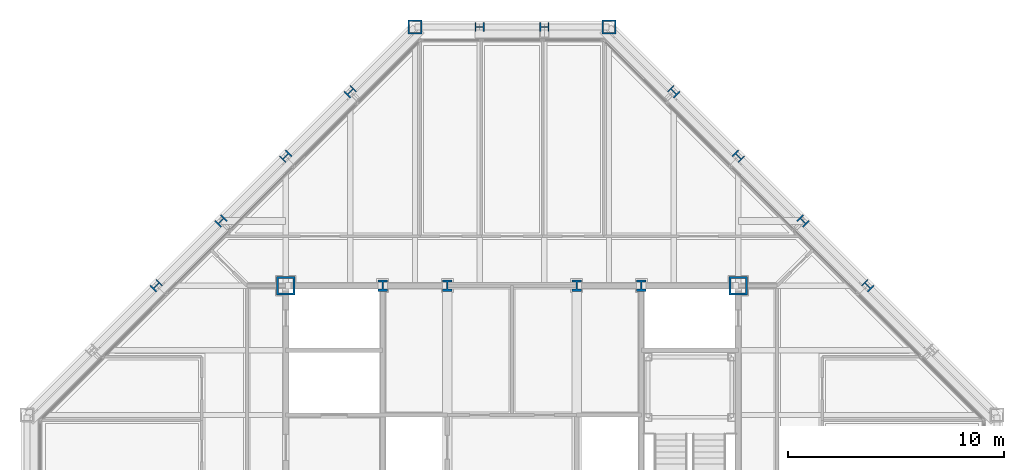
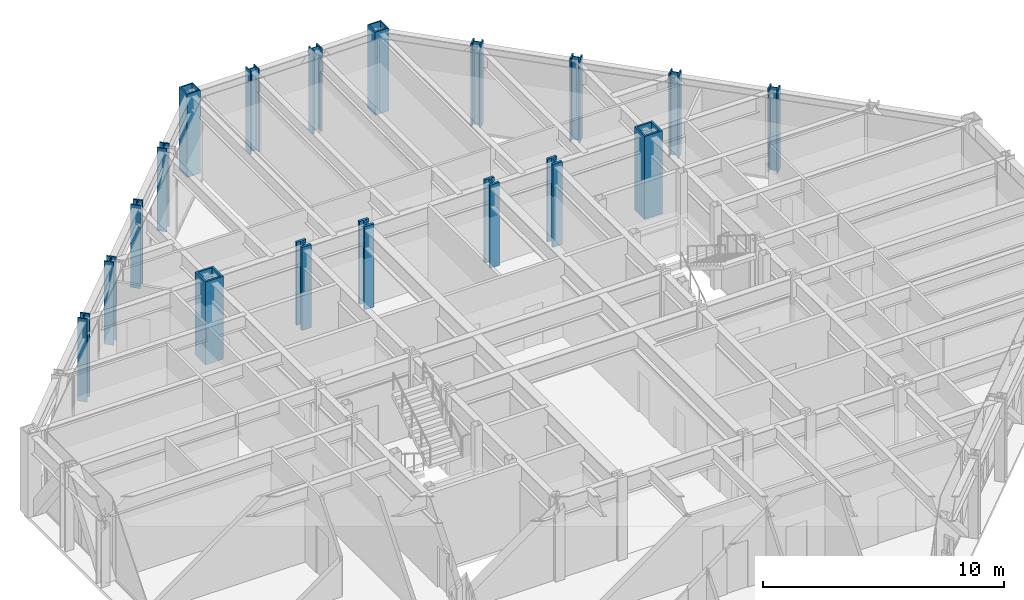
# One storey, part 4 of 15: 18 columns.
"""IFC4 building model written with IfcOpenShell, lengths in metres."""

import ifcopenshell
import ifcopenshell.guid

model = None  # the IFC model being written
_history = None  # IfcOwnerHistory: only IFC2X3 demands one
_inside = {}  # id of a spatial element -> (the spatial element, [elements in it])
_under = {}  # id of a project, library or spatial element -> (it, [spatial elements below it])
_declared = {}  # id of a project -> (the project, [libraries it declares])
_typed = {}  # id of a type object -> (the type object, [elements of that type])
_made_of = {}  # id of a material, layer set ... -> (it, [elements and type objects made of it])


def new_model(schema):
    """Start an empty IFC model of exactly this schema.

    Asked for "IFC4X3", IfcOpenShell would pick the latest addendum, in which some entities
    have other attributes; the version numbers below select the first issue.
    IFC2X3 requires an IfcOwnerHistory on every rooted entity: one is made here for all.
    """
    global model, _history
    if schema == "IFC4X3":
        model = ifcopenshell.file(schema_version=(4, 3, 0, 0))
    else:
        model = ifcopenshell.file(schema=schema)
    _inside.clear()
    _under.clear()
    _declared.clear()
    _typed.clear()
    _made_of.clear()
    _history = None
    if model.schema == "IFC2X3":
        org = make("IfcOrganization", Name="unknown")
        user = make(
            "IfcPersonAndOrganization",
            ThePerson=make("IfcPerson", FamilyName="unknown"),
            TheOrganization=org,
        )
        app = make(
            "IfcApplication",
            ApplicationDeveloper=org,
            Version="unknown",
            ApplicationFullName="unknown",
            ApplicationIdentifier="unknown",
        )
        _history = make(
            "IfcOwnerHistory",
            OwningUser=user,
            OwningApplication=app,
            ChangeAction="ADDED",
            CreationDate=0,
        )
    return model


def make(cls, **values):
    """One entity of the class cls with the attributes given. An attribute that is None is left unset."""
    return model.create_entity(
        cls, **{name: value for name, value in values.items() if value is not None}
    )


def rooted(cls, **values):
    """An entity with a GlobalId (a new one), such as an element, a storey or a relation."""
    return make(cls, GlobalId=ifcopenshell.guid.new(), OwnerHistory=_history, **values)


def si_unit(unit_type, name, prefix=None):
    """IfcSIUnit, for example si_unit("LENGTHUNIT", "METRE", prefix="MILLI")."""
    return make("IfcSIUnit", UnitType=unit_type, Prefix=prefix, Name=name)


def assignment(units):
    """IfcUnitAssignment: the units of a project."""
    return None if units is None else make("IfcUnitAssignment", Units=units)


def point(xyz):
    """IfcCartesianPoint."""
    return None if xyz is None else make("IfcCartesianPoint", Coordinates=xyz)


def direction(xyz):
    """IfcDirection."""
    return None if xyz is None else make("IfcDirection", DirectionRatios=xyz)


def frame(location, z_axis=None, x_axis=None):
    """IfcAxis2Placement3D, a coordinate frame: its origin and axes. An axis left out is left unset."""
    return make(
        "IfcAxis2Placement3D",
        Location=point(location),
        Axis=direction(z_axis),
        RefDirection=direction(x_axis),
    )


def frame_2d(location, x_axis=None):
    """IfcAxis2Placement2D, a coordinate frame in the plane: its origin and x axis."""
    return make(
        "IfcAxis2Placement2D", Location=point(location), RefDirection=direction(x_axis)
    )


def origin():
    """The frame at (0, 0, 0) with its axes left unset."""
    return frame((0.0, 0.0, 0.0))


def origin_2d():
    """The frame at (0, 0) in the plane with its x axis left unset."""
    return frame_2d((0.0, 0.0))


def place(relative_to, where):
    """IfcLocalPlacement: puts the frame where relative to a parent placement (None: the world)."""
    return make(
        "IfcLocalPlacement", PlacementRelTo=relative_to, RelativePlacement=where
    )


def context(
    kind, dimensions, precision=None, world=None, true_north=None, identifier=None
):
    """IfcGeometricRepresentationContext, for example the 3D "Model" context."""
    return make(
        "IfcGeometricRepresentationContext",
        ContextIdentifier=identifier,
        ContextType=kind,
        CoordinateSpaceDimension=dimensions,
        Precision=precision,
        WorldCoordinateSystem=world,
        TrueNorth=true_north,
    )


def subcontext(parent, identifier, kind, view, scale=None):
    """IfcGeometricRepresentationSubContext, for example "Body" below "Model"."""
    return make(
        "IfcGeometricRepresentationSubContext",
        ContextIdentifier=identifier,
        ContextType=kind,
        ParentContext=parent,
        TargetScale=scale,
        TargetView=view,
    )


def project(units=None, contexts=None):
    """IfcProject with its units and contexts."""
    return rooted(
        "IfcProject",
        Name="project",
        RepresentationContexts=contexts,
        UnitsInContext=assignment(units),
    )


def spatial(cls, under=None, at=None, **own):
    """A site, building, storey or space (cls), placed at a placement, below another one or the project."""
    s = rooted(cls, ObjectPlacement=at, **own)
    if under is not None:
        _under.setdefault(under.id(), (under, []))[1].append(s)
    return s


def profile(cls, at=None, kind="AREA", **sizes):
    """A parametric profile (cls). Its sizes go by their IFC names, for example OverallWidth=200.0."""
    return make(cls, ProfileType=kind, Position=at, **sizes)


def hollow_rectangle(**sizes):
    """IfcRectangleHollowProfileDef."""
    return profile("IfcRectangleHollowProfileDef", **sizes)


def i_section(**sizes):
    """IfcIShapeProfileDef."""
    return profile("IfcIShapeProfileDef", **sizes)


def extrude(swept, where, along, depth):
    """IfcExtrudedAreaSolid: the profile swept, set in the frame where, extruded along a direction by depth."""
    return make(
        "IfcExtrudedAreaSolid",
        SweptArea=swept,
        Position=where,
        ExtrudedDirection=direction(along),
        Depth=depth,
    )


def shape(context_of_items, identifier, shape_type, items):
    """IfcShapeRepresentation: the items that make up one representation, for example the "Body"."""
    return make(
        "IfcShapeRepresentation",
        ContextOfItems=context_of_items,
        RepresentationIdentifier=identifier,
        RepresentationType=shape_type,
        Items=items,
    )


def material(Name=None, Category=None):
    """IfcMaterial."""
    return make("IfcMaterial", Name=Name, Category=Category)


def material_profile(
    of_material, cross_section, Name=None, Category=None, Priority=None
):
    """IfcMaterialProfile: a cross section and its material."""
    return make(
        "IfcMaterialProfile",
        Name=Name,
        Material=of_material,
        Profile=cross_section,
        Priority=Priority,
        Category=Category,
    )


def profile_set(profiles, Name=None, composite=None):
    """IfcMaterialProfileSet."""
    return make(
        "IfcMaterialProfileSet",
        Name=Name,
        MaterialProfiles=profiles,
        CompositeProfile=composite,
    )


def made_of(thing, what):
    """Note that an element or type object is made of a material, layer set ...; save() writes the relation."""
    if what is not None:
        _made_of.setdefault(what.id(), (what, []))[1].append(thing)
    return thing


def type_object(cls, material=None, **own):
    """A type object (cls), such as IfcWallType, which elements share."""
    return made_of(rooted(cls, **own), material)


def element(
    cls,
    number,
    at=None,
    inside=None,
    cuts=None,
    type_object=None,
    material=None,
    context=None,
    identifier="Body",
    shape_type=None,
    held_by="IfcProductDefinitionShape",
    body=None,
    shapes=None,
    **own,
):
    """One element of the class cls, such as IfcWall. Its Tag is "e" and its number.

    at: its placement. inside: the storey or other place that contains it. cuts: it is an
    opening in that element (IfcRelVoidsElement). A single representation is given by context,
    identifier, shape_type and body (its items); several are given by shapes. held_by: the class
    of the entity that holds the representations. save() writes the other relations.
    """
    e = rooted(cls, Tag="e%d" % number, ObjectPlacement=at, **own)
    if body is not None:
        shapes = [shape(context, identifier, shape_type, body)]
    if shapes is not None:
        e.Representation = make(held_by, Representations=shapes)
    if inside is not None:
        _inside.setdefault(inside.id(), (inside, []))[1].append(e)
    if cuts is not None:
        rooted(
            "IfcRelVoidsElement", RelatingBuildingElement=cuts, RelatedOpeningElement=e
        )
    if type_object is not None:
        _typed.setdefault(type_object.id(), (type_object, []))[1].append(e)
    return made_of(e, material)


def aggregate(whole, parts):
    """IfcRelAggregates: a whole, such as a stair, and the parts it consists of."""
    return rooted("IfcRelAggregates", RelatingObject=whole, RelatedObjects=parts)


def save(model, path):
    """Write the relations noted so far, then the file.

    IfcRelAggregates (storeys below a building ...), IfcRelContainedInSpatialStructure (elements
    in a storey), IfcRelDefinesByType, IfcRelAssociatesMaterial and IfcRelDeclares: one each for
    every whole, place, type object, material and project.
    """
    for whole, parts in _under.values():
        aggregate(whole, parts)
    for where, things in _inside.values():
        rooted(
            "IfcRelContainedInSpatialStructure",
            RelatedElements=things,
            RelatingStructure=where,
        )
    for kind, things in _typed.values():
        rooted("IfcRelDefinesByType", RelatedObjects=things, RelatingType=kind)
    for what, things in _made_of.values():
        rooted("IfcRelAssociatesMaterial", RelatedObjects=things, RelatingMaterial=what)
    for by, libraries in _declared.values():
        rooted("IfcRelDeclares", RelatingContext=by, RelatedDefinitions=libraries)
    model.write(path)


model = new_model("IFC4")

# Units and contexts
model_context = context("Model", 3, precision=1e-05, world=origin(), true_north=direction((0.0, 1.0)))
body_context = subcontext(model_context, "Body", "Model", "MODEL_VIEW")
ifc_project = project(units=[si_unit("LENGTHUNIT", "METRE"), si_unit("AREAUNIT", "SQUARE_METRE"), si_unit("VOLUMEUNIT", "CUBIC_METRE"), si_unit("PLANEANGLEUNIT", "RADIAN"), si_unit("MASSUNIT", "GRAM", prefix="KILO")], contexts=[model_context])

# Site, building, storey
site_placement = place(None, origin())
site = spatial("IfcSite", under=ifc_project, at=site_placement, CompositionType="ELEMENT")
building_placement = place(site_placement, origin())
building = spatial("IfcBuilding", under=site, at=building_placement, Name="Chuquiago Exchange Tower", CompositionType="ELEMENT")
storey_placement = place(building_placement, frame((0.0, 0.0, 270.60009765625)))
storey = spatial("IfcBuildingStorey", under=building, at=storey_placement, Name="L60", CompositionType="ELEMENT", Elevation=270.60009765625)

# Columns
ifc_material_1 = material(Name="Steel ASTM A992", Category="steel")
ifc_material_profile_1 = material_profile(ifc_material_1, i_section(OverallWidth=0.411376953125, OverallDepth=0.434326171875, WebThickness=0.035888671875, FlangeThickness=0.057373046875, at=origin_2d()), Name="W14X311")
ifc_profile_set_1 = profile_set([ifc_material_profile_1], Name="Steel ASTM A992")
column_type_1 = type_object("IfcColumnType", Name="C5 W14X311", PredefinedType="COLUMN", material=ifc_profile_set_1)
for number, where, z_axis, x_axis, name in (
    (1, (24.0, 45.0, 0.0), (0.0, 0.0, 1.0), (0.0, 1.0, 0.0), "COL-L60-24_45"),
    (2, (21.0, 45.0, 0.0), (0.0, 0.0, 1.0), (0.0, 1.0, 0.0), "COL-L60-21_45"),
):
    element("IfcColumn", number, at=place(storey_placement, frame(where, z_axis=z_axis, x_axis=x_axis)), inside=storey, type_object=column_type_1, Name=name, PredefinedType="COLUMN", context=body_context, shape_type="SweptSolid", body=[
        extrude(i_section(OverallWidth=0.411376953125, OverallDepth=0.434326171875, WebThickness=0.035888671875, FlangeThickness=0.057373046875, at=origin_2d()), origin(), (0.0, 0.0, 1.0), 4.199951171875),
    ])
ifc_material_2 = material(Name="Steel ASTM A992", Category="steel")
ifc_material_profile_2 = material_profile(ifc_material_2, i_section(OverallWidth=0.449462890625, OverallDepth=0.548583984375, WebThickness=0.07177734375, FlangeThickness=0.11474609375, at=origin_2d()), Name="W14X665")
ifc_profile_set_2 = profile_set([ifc_material_profile_2], Name="Steel ASTM A992")
column_type_2 = type_object("IfcColumnType", Name="CC5 W14X665", PredefinedType="COLUMN", material=ifc_profile_set_2)
for number, where, z_axis, x_axis, name in (
    (3, (16.5, 33.0, 0.0), (0.0, 0.0, 1.0), (1.0, 0.0, 0.0), "CCOL-L60-16.5_33"),
    (4, (19.5, 33.0, 0.0), (0.0, 0.0, 1.0), (1.0, 0.0, 0.0), "CCOL-L60-19.5_33"),
    (5, (25.5, 33.0, 0.0), (0.0, 0.0, 1.0), (1.0, 0.0, 0.0), "CCOL-L60-25.5_33"),
    (6, (28.5, 33.0, 0.0), (0.0, 0.0, 1.0), (1.0, 0.0, 0.0), "CCOL-L60-28.5_33"),
):
    element("IfcColumn", number, at=place(storey_placement, frame(where, z_axis=z_axis, x_axis=x_axis)), inside=storey, type_object=column_type_2, Name=name, PredefinedType="COLUMN", context=body_context, shape_type="SweptSolid", body=[
        extrude(i_section(OverallWidth=0.449462890625, OverallDepth=0.548583984375, WebThickness=0.07177734375, FlangeThickness=0.11474609375, at=origin_2d()), origin(), (0.0, 0.0, 1.0), 4.199951171875),
    ])
ifc_material_3 = material(Name="Steel ASTM A572 Grade 50", Category="steel")
ifc_material_profile_3 = material_profile(ifc_material_3, hollow_rectangle(XDim=0.85009765625, YDim=0.85009765625, WallThickness=0.0849609375, at=origin_2d()), Name="BOX850X850X85")
ifc_profile_set_3 = profile_set([ifc_material_profile_3], Name="Steel ASTM A572 Grade 50")
column_type_3 = type_object("IfcColumnType", Name="CC6 BOX850X850X85", PredefinedType="COLUMN", material=ifc_profile_set_3)
for number, where, z_axis, x_axis, name in (
    (7, (12.0, 33.0, 0.0), (0.0, 0.0, 1.0), (1.0, 0.0, 0.0), "CCOL-L60-12_33"),
    (8, (33.0, 33.0, 0.0), (0.0, 0.0, 1.0), (1.0, 0.0, 0.0), "CCOL-L60-33_33"),
):
    element("IfcColumn", number, at=place(storey_placement, frame(where, z_axis=z_axis, x_axis=x_axis)), inside=storey, type_object=column_type_3, Name=name, PredefinedType="COLUMN", context=body_context, shape_type="SweptSolid", body=[
        extrude(hollow_rectangle(XDim=0.85009765625, YDim=0.85009765625, WallThickness=0.0849609375, at=origin_2d()), origin(), (0.0, 0.0, 1.0), 4.199951171875),
    ])
ifc_material_4 = material(Name="Steel ASTM A992", Category="steel")
ifc_material_profile_4 = material_profile(ifc_material_4, i_section(OverallWidth=0.41650390625, OverallDepth=0.444580078125, WebThickness=0.0390625, FlangeThickness=0.062744140625, at=origin_2d()), Name="W14X342")
ifc_profile_set_4 = profile_set([ifc_material_profile_4], Name="Steel ASTM A992")
column_type_4 = type_object("IfcColumnType", Name="CK5 W14X342", PredefinedType="COLUMN", material=ifc_profile_set_4)
for number, where, z_axis, x_axis, name in (
    (9, (39.0, 33.0, 0.0), (0.0, 0.0, 1.0), (0.707106781187, 0.707106781187, 0.0), "COL-L60-39_33"),
    (10, (36.0, 36.0, 0.0), (0.0, 0.0, 1.0), (0.707106781187, 0.707106781187, 0.0), "COL-L60-36_36"),
    (11, (33.0, 39.0, 0.0), (0.0, 0.0, 1.0), (0.707106781187, 0.707106781187, 0.0), "COL-L60-33_39"),
    (12, (30.0, 42.0, 0.0), (0.0, 0.0, 1.0), (0.707106781187, 0.707106781187, 0.0), "COL-L60-30_42"),
    (13, (15.0, 42.0, 0.0), (0.0, 0.0, 1.0), (-0.707106781187, 0.707106781187, 0.0), "COL-L60-15_42"),
    (14, (12.0, 39.0, 0.0), (0.0, 0.0, 1.0), (-0.707106781187, 0.707106781187, 0.0), "COL-L60-12_39"),
    (15, (9.0, 36.0, 0.0), (0.0, 0.0, 1.0), (-0.707106781187, 0.707106781187, 0.0), "COL-L60-9_36"),
    (16, (6.0, 33.0, 0.0), (0.0, 0.0, 1.0), (-0.707106781187, 0.707106781187, 0.0), "COL-L60-6_33"),
):
    element("IfcColumn", number, at=place(storey_placement, frame(where, z_axis=z_axis, x_axis=x_axis)), inside=storey, type_object=column_type_4, Name=name, PredefinedType="COLUMN", context=body_context, shape_type="SweptSolid", body=[
        extrude(i_section(OverallWidth=0.41650390625, OverallDepth=0.444580078125, WebThickness=0.0390625, FlangeThickness=0.062744140625, at=origin_2d()), origin(), (0.0, 0.0, 1.0), 4.199951171875),
    ])
ifc_material_5 = material(Name="Steel ASTM A572 Grade 50", Category="steel")
ifc_material_profile_5 = material_profile(ifc_material_5, hollow_rectangle(XDim=0.64990234375, YDim=0.64990234375, WallThickness=0.06494140625, at=origin_2d()), Name="BOX650X650X65")
ifc_profile_set_5 = profile_set([ifc_material_profile_5], Name="Steel ASTM A572 Grade 50")
column_type_5 = type_object("IfcColumnType", Name="CN2 BOX650X650X65", PredefinedType="COLUMN", material=ifc_profile_set_5)
for number, where, z_axis, x_axis, name in (
    (17, (27.0, 45.0, 0.0), (0.0, 0.0, 1.0), (0.0, 1.0, 0.0), "COL-L60-27_45"),
    (18, (18.0, 45.0, 0.0), (0.0, 0.0, 1.0), (0.0, 1.0, 0.0), "COL-L60-18_45"),
):
    element("IfcColumn", number, at=place(storey_placement, frame(where, z_axis=z_axis, x_axis=x_axis)), inside=storey, type_object=column_type_5, Name=name, PredefinedType="COLUMN", context=body_context, shape_type="SweptSolid", body=[
        extrude(hollow_rectangle(XDim=0.64990234375, YDim=0.64990234375, WallThickness=0.06494140625, at=origin_2d()), origin(), (0.0, 0.0, 1.0), 4.199951171875),
    ])

save(model, "model.ifc")
